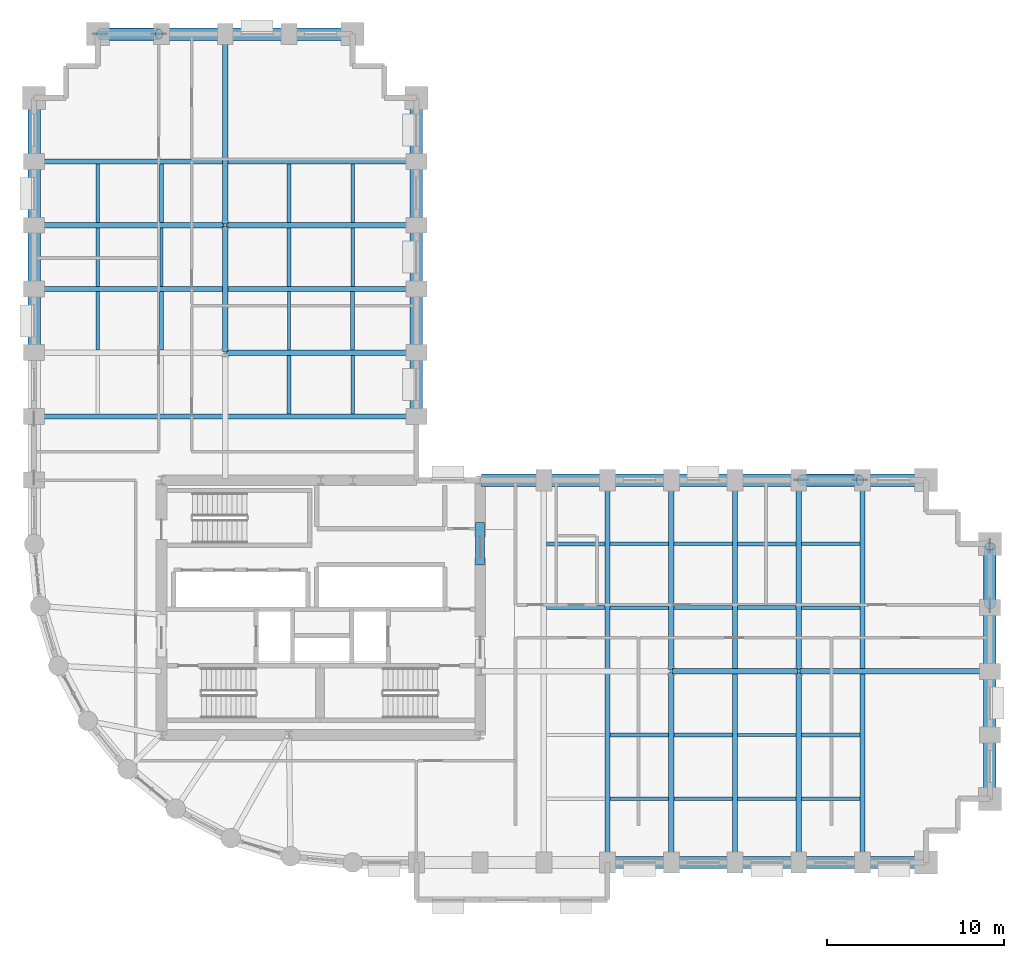
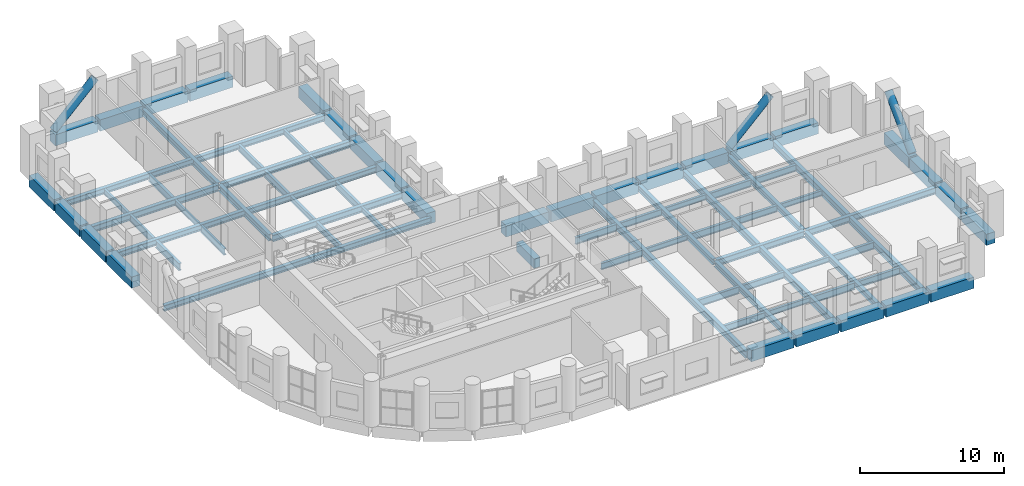
# One storey, part 5 of 14: 79 beams, 3 members.
"""IFC4 building model written with IfcOpenShell, lengths in metres."""

import ifcopenshell
import ifcopenshell.guid

model = None  # the IFC model being written
_history = None  # IfcOwnerHistory: only IFC2X3 demands one
_inside = {}  # id of a spatial element -> (the spatial element, [elements in it])
_under = {}  # id of a project, library or spatial element -> (it, [spatial elements below it])
_declared = {}  # id of a project -> (the project, [libraries it declares])
_typed = {}  # id of a type object -> (the type object, [elements of that type])
_made_of = {}  # id of a material, layer set ... -> (it, [elements and type objects made of it])


def new_model(schema):
    """Start an empty IFC model of exactly this schema.

    Asked for "IFC4X3", IfcOpenShell would pick the latest addendum, in which some entities
    have other attributes; the version numbers below select the first issue.
    IFC2X3 requires an IfcOwnerHistory on every rooted entity: one is made here for all.
    """
    global model, _history
    if schema == "IFC4X3":
        model = ifcopenshell.file(schema_version=(4, 3, 0, 0))
    else:
        model = ifcopenshell.file(schema=schema)
    _inside.clear()
    _under.clear()
    _declared.clear()
    _typed.clear()
    _made_of.clear()
    _history = None
    if model.schema == "IFC2X3":
        org = make("IfcOrganization", Name="unknown")
        user = make(
            "IfcPersonAndOrganization",
            ThePerson=make("IfcPerson", FamilyName="unknown"),
            TheOrganization=org,
        )
        app = make(
            "IfcApplication",
            ApplicationDeveloper=org,
            Version="unknown",
            ApplicationFullName="unknown",
            ApplicationIdentifier="unknown",
        )
        _history = make(
            "IfcOwnerHistory",
            OwningUser=user,
            OwningApplication=app,
            ChangeAction="ADDED",
            CreationDate=0,
        )
    return model


def make(cls, **values):
    """One entity of the class cls with the attributes given. An attribute that is None is left unset."""
    return model.create_entity(
        cls, **{name: value for name, value in values.items() if value is not None}
    )


def rooted(cls, **values):
    """An entity with a GlobalId (a new one), such as an element, a storey or a relation."""
    return make(cls, GlobalId=ifcopenshell.guid.new(), OwnerHistory=_history, **values)


def si_unit(unit_type, name, prefix=None):
    """IfcSIUnit, for example si_unit("LENGTHUNIT", "METRE", prefix="MILLI")."""
    return make("IfcSIUnit", UnitType=unit_type, Prefix=prefix, Name=name)


def assignment(units):
    """IfcUnitAssignment: the units of a project."""
    return None if units is None else make("IfcUnitAssignment", Units=units)


def point(xyz):
    """IfcCartesianPoint."""
    return None if xyz is None else make("IfcCartesianPoint", Coordinates=xyz)


def direction(xyz):
    """IfcDirection."""
    return None if xyz is None else make("IfcDirection", DirectionRatios=xyz)


def frame(location, z_axis=None, x_axis=None):
    """IfcAxis2Placement3D, a coordinate frame: its origin and axes. An axis left out is left unset."""
    return make(
        "IfcAxis2Placement3D",
        Location=point(location),
        Axis=direction(z_axis),
        RefDirection=direction(x_axis),
    )


def frame_2d(location, x_axis=None):
    """IfcAxis2Placement2D, a coordinate frame in the plane: its origin and x axis."""
    return make(
        "IfcAxis2Placement2D", Location=point(location), RefDirection=direction(x_axis)
    )


def origin():
    """The frame at (0, 0, 0) with its axes left unset."""
    return frame((0.0, 0.0, 0.0))


def origin_2d():
    """The frame at (0, 0) in the plane with its x axis left unset."""
    return frame_2d((0.0, 0.0))


def place(relative_to, where):
    """IfcLocalPlacement: puts the frame where relative to a parent placement (None: the world)."""
    return make(
        "IfcLocalPlacement", PlacementRelTo=relative_to, RelativePlacement=where
    )


def context(
    kind, dimensions, precision=None, world=None, true_north=None, identifier=None
):
    """IfcGeometricRepresentationContext, for example the 3D "Model" context."""
    return make(
        "IfcGeometricRepresentationContext",
        ContextIdentifier=identifier,
        ContextType=kind,
        CoordinateSpaceDimension=dimensions,
        Precision=precision,
        WorldCoordinateSystem=world,
        TrueNorth=true_north,
    )


def subcontext(parent, identifier, kind, view, scale=None):
    """IfcGeometricRepresentationSubContext, for example "Body" below "Model"."""
    return make(
        "IfcGeometricRepresentationSubContext",
        ContextIdentifier=identifier,
        ContextType=kind,
        ParentContext=parent,
        TargetScale=scale,
        TargetView=view,
    )


def project(units=None, contexts=None):
    """IfcProject with its units and contexts."""
    return rooted(
        "IfcProject",
        Name="project",
        RepresentationContexts=contexts,
        UnitsInContext=assignment(units),
    )


def spatial(cls, under=None, at=None, **own):
    """A site, building, storey or space (cls), placed at a placement, below another one or the project."""
    s = rooted(cls, ObjectPlacement=at, **own)
    if under is not None:
        _under.setdefault(under.id(), (under, []))[1].append(s)
    return s


def profile(cls, at=None, kind="AREA", **sizes):
    """A parametric profile (cls). Its sizes go by their IFC names, for example OverallWidth=200.0."""
    return make(cls, ProfileType=kind, Position=at, **sizes)


def rectangle(**sizes):
    """IfcRectangleProfileDef."""
    return profile("IfcRectangleProfileDef", **sizes)


def hollow_circle(**sizes):
    """IfcCircleHollowProfileDef."""
    return profile("IfcCircleHollowProfileDef", **sizes)


def i_section(**sizes):
    """IfcIShapeProfileDef."""
    return profile("IfcIShapeProfileDef", **sizes)


def extrude(swept, where, along, depth):
    """IfcExtrudedAreaSolid: the profile swept, set in the frame where, extruded along a direction by depth."""
    return make(
        "IfcExtrudedAreaSolid",
        SweptArea=swept,
        Position=where,
        ExtrudedDirection=direction(along),
        Depth=depth,
    )


def shape(context_of_items, identifier, shape_type, items):
    """IfcShapeRepresentation: the items that make up one representation, for example the "Body"."""
    return make(
        "IfcShapeRepresentation",
        ContextOfItems=context_of_items,
        RepresentationIdentifier=identifier,
        RepresentationType=shape_type,
        Items=items,
    )


def material(Name=None, Category=None):
    """IfcMaterial."""
    return make("IfcMaterial", Name=Name, Category=Category)


def material_profile(
    of_material, cross_section, Name=None, Category=None, Priority=None
):
    """IfcMaterialProfile: a cross section and its material."""
    return make(
        "IfcMaterialProfile",
        Name=Name,
        Material=of_material,
        Profile=cross_section,
        Priority=Priority,
        Category=Category,
    )


def profile_set(profiles, Name=None, composite=None):
    """IfcMaterialProfileSet."""
    return make(
        "IfcMaterialProfileSet",
        Name=Name,
        MaterialProfiles=profiles,
        CompositeProfile=composite,
    )


def made_of(thing, what):
    """Note that an element or type object is made of a material, layer set ...; save() writes the relation."""
    if what is not None:
        _made_of.setdefault(what.id(), (what, []))[1].append(thing)
    return thing


def type_object(cls, material=None, **own):
    """A type object (cls), such as IfcWallType, which elements share."""
    return made_of(rooted(cls, **own), material)


def element(
    cls,
    number,
    at=None,
    inside=None,
    cuts=None,
    type_object=None,
    material=None,
    context=None,
    identifier="Body",
    shape_type=None,
    held_by="IfcProductDefinitionShape",
    body=None,
    shapes=None,
    **own,
):
    """One element of the class cls, such as IfcWall. Its Tag is "e" and its number.

    at: its placement. inside: the storey or other place that contains it. cuts: it is an
    opening in that element (IfcRelVoidsElement). A single representation is given by context,
    identifier, shape_type and body (its items); several are given by shapes. held_by: the class
    of the entity that holds the representations. save() writes the other relations.
    """
    e = rooted(cls, Tag="e%d" % number, ObjectPlacement=at, **own)
    if body is not None:
        shapes = [shape(context, identifier, shape_type, body)]
    if shapes is not None:
        e.Representation = make(held_by, Representations=shapes)
    if inside is not None:
        _inside.setdefault(inside.id(), (inside, []))[1].append(e)
    if cuts is not None:
        rooted(
            "IfcRelVoidsElement", RelatingBuildingElement=cuts, RelatedOpeningElement=e
        )
    if type_object is not None:
        _typed.setdefault(type_object.id(), (type_object, []))[1].append(e)
    return made_of(e, material)


def aggregate(whole, parts):
    """IfcRelAggregates: a whole, such as a stair, and the parts it consists of."""
    return rooted("IfcRelAggregates", RelatingObject=whole, RelatedObjects=parts)


def save(model, path):
    """Write the relations noted so far, then the file.

    IfcRelAggregates (storeys below a building ...), IfcRelContainedInSpatialStructure (elements
    in a storey), IfcRelDefinesByType, IfcRelAssociatesMaterial and IfcRelDeclares: one each for
    every whole, place, type object, material and project.
    """
    for whole, parts in _under.values():
        aggregate(whole, parts)
    for where, things in _inside.values():
        rooted(
            "IfcRelContainedInSpatialStructure",
            RelatedElements=things,
            RelatingStructure=where,
        )
    for kind, things in _typed.values():
        rooted("IfcRelDefinesByType", RelatedObjects=things, RelatingType=kind)
    for what, things in _made_of.values():
        rooted("IfcRelAssociatesMaterial", RelatedObjects=things, RelatingMaterial=what)
    for by, libraries in _declared.values():
        rooted("IfcRelDeclares", RelatingContext=by, RelatedDefinitions=libraries)
    model.write(path)


model = new_model("IFC4")

# Units and contexts
model_context = context("Model", 3, precision=1e-05, world=origin(), true_north=direction((0.0, 1.0)))
body_context = subcontext(model_context, "Body", "Model", "MODEL_VIEW")
ifc_project = project(units=[si_unit("LENGTHUNIT", "METRE"), si_unit("AREAUNIT", "SQUARE_METRE"), si_unit("VOLUMEUNIT", "CUBIC_METRE"), si_unit("PLANEANGLEUNIT", "RADIAN"), si_unit("MASSUNIT", "GRAM", prefix="KILO")], contexts=[model_context])

# Site, building, storey
site_placement = place(None, origin())
site = spatial("IfcSite", under=ifc_project, at=site_placement, CompositionType="ELEMENT")
building_placement = place(site_placement, origin())
building = spatial("IfcBuilding", under=site, at=building_placement, Name="Solnavia Interchange Tower", CompositionType="ELEMENT")
storey_placement = place(building_placement, frame((0.0, 0.0, 63.0)))
storey = spatial("IfcBuildingStorey", under=building, at=storey_placement, Name="L15", CompositionType="ELEMENT", Elevation=63.0)

# Beams
ifc_material_1 = material(Name="Concrete C50/60", Category="concrete")
ifc_material_profile_1 = material_profile(ifc_material_1, rectangle(XDim=0.5, YDim=0.800048828125, at=origin_2d()), Name="RC 500x800")
ifc_profile_set_1 = profile_set([ifc_material_profile_1], Name="Concrete C50/60")
beam_type_1 = type_object("IfcBeamType", Name="Beam-Coupling-RC500x800", PredefinedType="LINTEL", material=ifc_profile_set_1)
beam_1_placement = place(storey_placement, frame((32.39990234375, 20.39990234375, -0.39990234375), z_axis=(0.0, 1.0, 0.0), x_axis=(-1.0, 0.0, 0.0)))
element("IfcBeam", 1, at=beam_1_placement, inside=storey, type_object=beam_type_1, Name="CPB-L15-E2 Core coupling lintel beam", PredefinedType="LINTEL", context=body_context, shape_type="SweptSolid", body=[
    extrude(rectangle(XDim=0.5, YDim=0.800048828125, at=origin_2d()), origin(), (0.0, 0.0, 1.0), 2.400146484375),
])
ifc_material_2 = material(Name="Steel S460", Category="steel")
ifc_material_profile_2 = material_profile(ifc_material_2, i_section(OverallWidth=0.300048828125, OverallDepth=0.550048828125, WebThickness=0.014892578125, FlangeThickness=0.029052734375, FilletRadius=0.027099609375, at=origin_2d()), Name="HEB 550")
ifc_profile_set_2 = profile_set([ifc_material_profile_2], Name="Steel S460")
beam_type_2 = type_object("IfcBeamType", Name="Beam-Girder-HEB550", PredefinedType="BEAM", material=ifc_profile_set_2)
beam_2_placement = place(storey_placement, frame((43.280029296875, 14.39990234375, -0.52490234375), z_axis=(1.0, 0.0, 0.0), x_axis=(0.0, 1.0, 0.0)))
element("IfcBeam", 2, at=beam_2_placement, inside=storey, type_object=beam_type_2, Name="GRD-L15-ES02 East wing spine girder", PredefinedType="BEAM", context=body_context, shape_type="SweptSolid", body=[
    extrude(i_section(OverallWidth=0.300048828125, OverallDepth=0.550048828125, WebThickness=0.014892578125, FlangeThickness=0.029052734375, FilletRadius=0.027099609375, at=origin_2d()), origin(), (0.0, 0.0, 1.0), 7.0400390625),
])
beam_3_placement = place(storey_placement, frame((50.47998046875, 14.39990234375, -0.52490234375), z_axis=(1.0, 0.0, 0.0), x_axis=(0.0, 1.0, 0.0)))
element("IfcBeam", 3, at=beam_3_placement, inside=storey, type_object=beam_type_2, Name="GRD-L15-ES03 East wing spine girder", PredefinedType="BEAM", context=body_context, shape_type="SweptSolid", body=[
    extrude(i_section(OverallWidth=0.300048828125, OverallDepth=0.550048828125, WebThickness=0.014892578125, FlangeThickness=0.029052734375, FilletRadius=0.027099609375, at=origin_2d()), origin(), (0.0, 0.0, 1.0), 10.64013671875),
])
beam_4_placement = place(storey_placement, frame((18.0, 32.47998046875, -0.52490234375), z_axis=(0.0, 1.0, 0.0), x_axis=(-1.0, 0.0, 0.0)))
element("IfcBeam", 4, at=beam_4_placement, inside=storey, type_object=beam_type_2, Name="GRD-L15-NS13 North wing spine girder", PredefinedType="BEAM", context=body_context, shape_type="SweptSolid", body=[
    extrude(i_section(OverallWidth=0.300048828125, OverallDepth=0.550048828125, WebThickness=0.014892578125, FlangeThickness=0.029052734375, FilletRadius=0.027099609375, at=origin_2d()), origin(), (0.0, 0.0, 1.0), 7.0400390625),
])
beam_5_placement = place(storey_placement, frame((18.0, 39.679931640625, -0.52490234375), z_axis=(0.0, 1.0, 0.0), x_axis=(-1.0, 0.0, 0.0)))
element("IfcBeam", 5, at=beam_5_placement, inside=storey, type_object=beam_type_2, Name="GRD-L15-NS14 North wing spine girder", PredefinedType="BEAM", context=body_context, shape_type="SweptSolid", body=[
    extrude(i_section(OverallWidth=0.300048828125, OverallDepth=0.550048828125, WebThickness=0.014892578125, FlangeThickness=0.029052734375, FilletRadius=0.027099609375, at=origin_2d()), origin(), (0.0, 0.0, 1.0), 10.64013671875),
])
for number, where, z_axis, x_axis, name in (
    (6, (18.080078125, 32.39990234375, -0.52490234375), (1.0, 0.0, 0.0), (0.0, 1.0, 0.0), "GRD-L15-NW17 North wing primary floor girder"),
    (7, (7.280029296875, 39.60009765625, -0.52490234375), (1.0, 0.0, 0.0), (0.0, 1.0, 0.0), "GRD-L15-NW19 North wing primary floor girder"),
    (8, (18.080078125, 39.60009765625, -0.52490234375), (1.0, 0.0, 0.0), (0.0, 1.0, 0.0), "GRD-L15-NW20 North wing primary floor girder"),
):
    element("IfcBeam", number, at=place(storey_placement, frame(where, z_axis=z_axis, x_axis=x_axis)), inside=storey, type_object=beam_type_2, Name=name, PredefinedType="BEAM", context=body_context, shape_type="SweptSolid", body=[
        extrude(i_section(OverallWidth=0.300048828125, OverallDepth=0.550048828125, WebThickness=0.014892578125, FlangeThickness=0.029052734375, FilletRadius=0.027099609375, at=origin_2d()), origin(), (0.0, 0.0, 1.0), 10.639892578125),
    ])
ifc_material_3 = material(Name="Steel S355", Category="steel")
ifc_material_profile_3 = material_profile(ifc_material_3, i_section(OverallWidth=0.18994140625, OverallDepth=0.449951171875, WebThickness=0.009521484375, FlangeThickness=0.0146484375, FilletRadius=0.02099609375, at=origin_2d()), Name="IPE 450")
ifc_profile_set_3 = profile_set([ifc_material_profile_3], Name="Steel S355")
beam_type_3 = type_object("IfcBeamType", Name="Beam-Joist-IPE450", PredefinedType="JOIST", material=ifc_profile_set_3)
beam_6_placement = place(storey_placement, frame((43.35009765625, 7.199951171875, -0.47509765625), z_axis=(1.0, 0.0, 0.0), x_axis=(0.0, 1.0, 0.0)))
element("IfcBeam", 9, at=beam_6_placement, inside=storey, type_object=beam_type_3, Name="JST-L15-E03 East wing secondary joist", PredefinedType="JOIST", context=body_context, shape_type="SweptSolid", body=[
    extrude(i_section(OverallWidth=0.18994140625, OverallDepth=0.449951171875, WebThickness=0.009521484375, FlangeThickness=0.0146484375, FilletRadius=0.02099609375, at=origin_2d()), origin(), (0.0, 0.0, 1.0), 3.2998046875),
])
for number, where, z_axis, x_axis, name in (
    (10, (46.949951171875, 10.800048828125, -0.47509765625), (1.0, 0.0, 0.0), (0.0, 1.0, 0.0), "JST-L15-E09 East wing secondary joist"),
    (11, (39.75, 18.0, -0.47509765625), (1.0, 0.0, 0.0), (0.0, 1.0, 0.0), "JST-L15-E12 East wing secondary joist"),
    (12, (50.550048828125, 18.0, -0.47509765625), (1.0, 0.0, 0.0), (0.0, 1.0, 0.0), "JST-L15-E15 East wing secondary joist"),
):
    element("IfcBeam", number, at=place(storey_placement, frame(where, z_axis=z_axis, x_axis=x_axis)), inside=storey, type_object=beam_type_3, Name=name, PredefinedType="JOIST", context=body_context, shape_type="SweptSolid", body=[
        extrude(i_section(OverallWidth=0.18994140625, OverallDepth=0.449951171875, WebThickness=0.009521484375, FlangeThickness=0.0146484375, FilletRadius=0.02099609375, at=origin_2d()), origin(), (0.0, 0.0, 1.0), 3.300048828125),
    ])
beam_7_placement = place(storey_placement, frame((43.35009765625, 21.60009765625, -0.47509765625), z_axis=(1.0, 0.0, 0.0), x_axis=(0.0, 1.0, 0.0)))
element("IfcBeam", 13, at=beam_7_placement, inside=storey, type_object=beam_type_3, Name="JST-L15-E18 East wing secondary joist", PredefinedType="JOIST", context=body_context, shape_type="SweptSolid", body=[
    extrude(i_section(OverallWidth=0.18994140625, OverallDepth=0.449951171875, WebThickness=0.009521484375, FlangeThickness=0.0146484375, FilletRadius=0.02099609375, at=origin_2d()), origin(), (0.0, 0.0, 1.0), 3.2998046875),
])
for number, where, z_axis, x_axis, name in (
    (14, (10.800048828125, 39.75, -0.47509765625), (0.0, 1.0, 0.0), (-1.0, 0.0, 0.0), "JST-L15-N24 North wing secondary joist"),
    (15, (14.39990234375, 36.14990234375, -0.47509765625), (0.0, 1.0, 0.0), (-1.0, 0.0, 0.0), "JST-L15-N27 North wing secondary joist"),
    (16, (21.60009765625, 32.550048828125, -0.47509765625), (0.0, 1.0, 0.0), (-1.0, 0.0, 0.0), "JST-L15-N30 North wing secondary joist"),
    (17, (25.199951171875, 28.949951171875, -0.47509765625), (0.0, 1.0, 0.0), (-1.0, 0.0, 0.0), "JST-L15-N33 North wing secondary joist"),
    (18, (25.199951171875, 39.75, -0.47509765625), (0.0, 1.0, 0.0), (-1.0, 0.0, 0.0), "JST-L15-N36 North wing secondary joist"),
):
    element("IfcBeam", number, at=place(storey_placement, frame(where, z_axis=z_axis, x_axis=x_axis)), inside=storey, type_object=beam_type_3, Name=name, PredefinedType="JOIST", context=body_context, shape_type="SweptSolid", body=[
        extrude(i_section(OverallWidth=0.18994140625, OverallDepth=0.449951171875, WebThickness=0.009521484375, FlangeThickness=0.0146484375, FilletRadius=0.02099609375, at=origin_2d()), origin(), (0.0, 0.0, 1.0), 3.300048828125),
    ])
ifc_material_profile_4 = material_profile(ifc_material_3, i_section(OverallWidth=0.2099609375, OverallDepth=0.550048828125, WebThickness=0.010986328125, FlangeThickness=0.01708984375, FilletRadius=0.02392578125, at=origin_2d()), Name="IPE 550")
ifc_profile_set_4 = profile_set([ifc_material_profile_4], Name="Steel S355")
beam_type_4 = type_object("IfcBeamType", Name="Beam-Joist-IPE550", PredefinedType="JOIST", material=ifc_profile_set_4)
for number, where, z_axis, x_axis, name in (
    (19, (39.75, 7.199951171875, -0.52490234375), (1.0, 0.0, 0.0), (0.0, 1.0, 0.0), "JST-L15-E02 East wing secondary joist"),
    (20, (50.550048828125, 7.199951171875, -0.52490234375), (1.0, 0.0, 0.0), (0.0, 1.0, 0.0), "JST-L15-E05 East wing secondary joist"),
):
    element("IfcBeam", number, at=place(storey_placement, frame(where, z_axis=z_axis, x_axis=x_axis)), inside=storey, type_object=beam_type_4, Name=name, PredefinedType="JOIST", context=body_context, shape_type="SweptSolid", body=[
        extrude(i_section(OverallWidth=0.2099609375, OverallDepth=0.550048828125, WebThickness=0.010986328125, FlangeThickness=0.01708984375, FilletRadius=0.02392578125, at=origin_2d()), origin(), (0.0, 0.0, 1.0), 3.300048828125),
    ])
beam_8_placement = place(storey_placement, frame((43.35009765625, 10.800048828125, -0.52490234375), z_axis=(1.0, 0.0, 0.0), x_axis=(0.0, 1.0, 0.0)))
element("IfcBeam", 21, at=beam_8_placement, inside=storey, type_object=beam_type_4, Name="JST-L15-E08 East wing secondary joist", PredefinedType="JOIST", context=body_context, shape_type="SweptSolid", body=[
    extrude(i_section(OverallWidth=0.2099609375, OverallDepth=0.550048828125, WebThickness=0.010986328125, FlangeThickness=0.01708984375, FilletRadius=0.02392578125, at=origin_2d()), origin(), (0.0, 0.0, 1.0), 3.2998046875),
])
for number, where, z_axis, x_axis, name in (
    (22, (36.14990234375, 18.0, -0.52490234375), (1.0, 0.0, 0.0), (0.0, 1.0, 0.0), "JST-L15-E11 East wing secondary joist"),
    (23, (46.949951171875, 18.0, -0.52490234375), (1.0, 0.0, 0.0), (0.0, 1.0, 0.0), "JST-L15-E14 East wing secondary joist"),
    (24, (39.75, 21.60009765625, -0.52490234375), (1.0, 0.0, 0.0), (0.0, 1.0, 0.0), "JST-L15-E17 East wing secondary joist"),
    (25, (50.550048828125, 21.60009765625, -0.52490234375), (1.0, 0.0, 0.0), (0.0, 1.0, 0.0), "JST-L15-E20 East wing secondary joist"),
    (26, (10.800048828125, 36.14990234375, -0.52490234375), (0.0, 1.0, 0.0), (-1.0, 0.0, 0.0), "JST-L15-N23 North wing secondary joist"),
    (27, (14.39990234375, 32.550048828125, -0.52490234375), (0.0, 1.0, 0.0), (-1.0, 0.0, 0.0), "JST-L15-N26 North wing secondary joist"),
    (28, (21.60009765625, 28.949951171875, -0.52490234375), (0.0, 1.0, 0.0), (-1.0, 0.0, 0.0), "JST-L15-N29 North wing secondary joist"),
    (29, (21.60009765625, 39.75, -0.52490234375), (0.0, 1.0, 0.0), (-1.0, 0.0, 0.0), "JST-L15-N32 North wing secondary joist"),
    (30, (25.199951171875, 36.14990234375, -0.52490234375), (0.0, 1.0, 0.0), (-1.0, 0.0, 0.0), "JST-L15-N35 North wing secondary joist"),
):
    element("IfcBeam", number, at=place(storey_placement, frame(where, z_axis=z_axis, x_axis=x_axis)), inside=storey, type_object=beam_type_4, Name=name, PredefinedType="JOIST", context=body_context, shape_type="SweptSolid", body=[
        extrude(i_section(OverallWidth=0.2099609375, OverallDepth=0.550048828125, WebThickness=0.010986328125, FlangeThickness=0.01708984375, FilletRadius=0.02392578125, at=origin_2d()), origin(), (0.0, 0.0, 1.0), 3.300048828125),
    ])
ifc_material_profile_5 = material_profile(ifc_material_3, i_section(OverallWidth=0.219970703125, OverallDepth=0.60009765625, WebThickness=0.011962890625, FlangeThickness=0.01904296875, FilletRadius=0.02392578125, at=origin_2d()), Name="IPE 600")
ifc_profile_set_5 = profile_set([ifc_material_profile_5], Name="Steel S355")
beam_type_5 = type_object("IfcBeamType", Name="Beam-Joist-IPE600", PredefinedType="JOIST", material=ifc_profile_set_5)
for number, where, z_axis, x_axis, name in (
    (31, (46.949951171875, 7.199951171875, -0.550048828125), (1.0, 0.0, 0.0), (0.0, 1.0, 0.0), "JST-L15-E04 East wing secondary joist"),
    (32, (39.75, 10.800048828125, -0.550048828125), (1.0, 0.0, 0.0), (0.0, 1.0, 0.0), "JST-L15-E07 East wing secondary joist"),
    (33, (50.550048828125, 10.800048828125, -0.550048828125), (1.0, 0.0, 0.0), (0.0, 1.0, 0.0), "JST-L15-E10 East wing secondary joist"),
):
    element("IfcBeam", number, at=place(storey_placement, frame(where, z_axis=z_axis, x_axis=x_axis)), inside=storey, type_object=beam_type_5, Name=name, PredefinedType="JOIST", context=body_context, shape_type="SweptSolid", body=[
        extrude(i_section(OverallWidth=0.219970703125, OverallDepth=0.60009765625, WebThickness=0.011962890625, FlangeThickness=0.01904296875, FilletRadius=0.02392578125, at=origin_2d()), origin(), (0.0, 0.0, 1.0), 3.300048828125),
    ])
beam_9_placement = place(storey_placement, frame((43.35009765625, 18.0, -0.550048828125), z_axis=(1.0, 0.0, 0.0), x_axis=(0.0, 1.0, 0.0)))
element("IfcBeam", 34, at=beam_9_placement, inside=storey, type_object=beam_type_5, Name="JST-L15-E13 East wing secondary joist", PredefinedType="JOIST", context=body_context, shape_type="SweptSolid", body=[
    extrude(i_section(OverallWidth=0.219970703125, OverallDepth=0.60009765625, WebThickness=0.011962890625, FlangeThickness=0.01904296875, FilletRadius=0.02392578125, at=origin_2d()), origin(), (0.0, 0.0, 1.0), 3.2998046875),
])
for number, where, z_axis, x_axis, name in (
    (35, (36.14990234375, 21.60009765625, -0.550048828125), (1.0, 0.0, 0.0), (0.0, 1.0, 0.0), "JST-L15-E16 East wing secondary joist"),
    (36, (46.949951171875, 21.60009765625, -0.550048828125), (1.0, 0.0, 0.0), (0.0, 1.0, 0.0), "JST-L15-E19 East wing secondary joist"),
    (37, (10.800048828125, 32.550048828125, -0.550048828125), (0.0, 1.0, 0.0), (-1.0, 0.0, 0.0), "JST-L15-N22 North wing secondary joist"),
    (38, (14.39990234375, 39.75, -0.550048828125), (0.0, 1.0, 0.0), (-1.0, 0.0, 0.0), "JST-L15-N28 North wing secondary joist"),
    (39, (21.60009765625, 36.14990234375, -0.550048828125), (0.0, 1.0, 0.0), (-1.0, 0.0, 0.0), "JST-L15-N31 North wing secondary joist"),
    (40, (25.199951171875, 32.550048828125, -0.550048828125), (0.0, 1.0, 0.0), (-1.0, 0.0, 0.0), "JST-L15-N34 North wing secondary joist"),
):
    element("IfcBeam", number, at=place(storey_placement, frame(where, z_axis=z_axis, x_axis=x_axis)), inside=storey, type_object=beam_type_5, Name=name, PredefinedType="JOIST", context=body_context, shape_type="SweptSolid", body=[
        extrude(i_section(OverallWidth=0.219970703125, OverallDepth=0.60009765625, WebThickness=0.011962890625, FlangeThickness=0.01904296875, FilletRadius=0.02392578125, at=origin_2d()), origin(), (0.0, 0.0, 1.0), 3.300048828125),
    ])
ifc_material_profile_6 = material_profile(ifc_material_3, i_section(OverallWidth=0.300048828125, OverallDepth=0.489990234375, WebThickness=0.011962890625, FlangeThickness=0.02294921875, FilletRadius=0.027099609375, at=origin_2d()), Name="HEA 500")
ifc_profile_set_6 = profile_set([ifc_material_profile_6], Name="Steel S355")
beam_type_6 = type_object("IfcBeamType", Name="Beam-Primary-HEA500", PredefinedType="BEAM", material=ifc_profile_set_6)
for number, where, z_axis, x_axis, name in (
    (41, (43.199951171875, 3.679931640625, -0.4951171875), (0.0, 1.0, 0.0), (-1.0, 0.0, 0.0), "GRD-L15-EW06 East wing primary floor girder"),
    (42, (43.199951171875, 14.47998046875, -0.4951171875), (0.0, 1.0, 0.0), (-1.0, 0.0, 0.0), "GRD-L15-EW07 East wing primary floor girder"),
    (43, (50.39990234375, 3.679931640625, -0.4951171875), (0.0, 1.0, 0.0), (-1.0, 0.0, 0.0), "GRD-L15-EW09 East wing primary floor girder"),
    (44, (50.39990234375, 14.47998046875, -0.4951171875), (0.0, 1.0, 0.0), (-1.0, 0.0, 0.0), "GRD-L15-EW10 East wing primary floor girder"),
):
    element("IfcBeam", number, at=place(storey_placement, frame(where, z_axis=z_axis, x_axis=x_axis)), inside=storey, type_object=beam_type_6, Name=name, PredefinedType="BEAM", context=body_context, shape_type="SweptSolid", body=[
        extrude(i_section(OverallWidth=0.300048828125, OverallDepth=0.489990234375, WebThickness=0.011962890625, FlangeThickness=0.02294921875, FilletRadius=0.027099609375, at=origin_2d()), origin(), (0.0, 0.0, 1.0), 10.64013671875),
    ])
for number, where, z_axis, x_axis, name in (
    (45, (7.280029296875, 28.800048828125, -0.4951171875), (1.0, 0.0, 0.0), (0.0, 1.0, 0.0), "GRD-L15-NW15 North wing primary floor girder"),
    (46, (7.280029296875, 36.0, -0.4951171875), (1.0, 0.0, 0.0), (0.0, 1.0, 0.0), "GRD-L15-NW18 North wing primary floor girder"),
    (47, (7.280029296875, 43.199951171875, -0.4951171875), (1.0, 0.0, 0.0), (0.0, 1.0, 0.0), "GRD-L15-NW21 North wing primary floor girder"),
):
    element("IfcBeam", number, at=place(storey_placement, frame(where, z_axis=z_axis, x_axis=x_axis)), inside=storey, type_object=beam_type_6, Name=name, PredefinedType="BEAM", context=body_context, shape_type="SweptSolid", body=[
        extrude(i_section(OverallWidth=0.300048828125, OverallDepth=0.489990234375, WebThickness=0.011962890625, FlangeThickness=0.02294921875, FilletRadius=0.027099609375, at=origin_2d()), origin(), (0.0, 0.0, 1.0), 21.43994140625),
    ])
ifc_material_profile_7 = material_profile(ifc_material_3, i_section(OverallWidth=0.300048828125, OverallDepth=0.590087890625, WebThickness=0.012939453125, FlangeThickness=0.02490234375, FilletRadius=0.027099609375, at=origin_2d()), Name="HEA 600")
ifc_profile_set_7 = profile_set([ifc_material_profile_7], Name="Steel S355")
beam_type_7 = type_object("IfcBeamType", Name="Beam-Primary-HEA600", PredefinedType="BEAM", material=ifc_profile_set_7)
for number, where, z_axis, x_axis, name in (
    (48, (39.60009765625, 3.679931640625, -0.544921875), (0.0, 1.0, 0.0), (-1.0, 0.0, 0.0), "GRD-L15-EW05 East wing primary floor girder"),
    (49, (46.800048828125, 3.679931640625, -0.544921875), (0.0, 1.0, 0.0), (-1.0, 0.0, 0.0), "GRD-L15-EW08 East wing primary floor girder"),
    (50, (54.0, 3.679931640625, -0.544921875), (0.0, 1.0, 0.0), (-1.0, 0.0, 0.0), "GRD-L15-EW11 East wing primary floor girder"),
):
    element("IfcBeam", number, at=place(storey_placement, frame(where, z_axis=z_axis, x_axis=x_axis)), inside=storey, type_object=beam_type_7, Name=name, PredefinedType="BEAM", context=body_context, shape_type="SweptSolid", body=[
        extrude(i_section(OverallWidth=0.300048828125, OverallDepth=0.590087890625, WebThickness=0.012939453125, FlangeThickness=0.02490234375, FilletRadius=0.027099609375, at=origin_2d()), origin(), (0.0, 0.0, 1.0), 21.440185546875),
    ])
ifc_material_profile_8 = material_profile(ifc_material_1, rectangle(XDim=0.699951171875, YDim=0.949951171875, at=origin_2d()), Name="RC 700x950")
ifc_profile_set_8 = profile_set([ifc_material_profile_8], Name="Concrete C50/60")
beam_type_8 = type_object("IfcBeamType", Name="Beam-Spandrel-RC700x950", PredefinedType="SPANDREL", material=ifc_profile_set_8)
beam_10_placement = place(storey_placement, frame((39.679931640625, 3.60009765625, -0.47509765625), z_axis=(1.0, 0.0, 0.0), x_axis=(0.0, 1.0, 0.0)))
element("IfcBeam", 51, at=beam_10_placement, inside=storey, type_object=beam_type_8, Name="SPB-L15-13 Framed-tube perimeter spandrel beam", PredefinedType="SPANDREL", context=body_context, shape_type="SweptSolid", body=[
    extrude(rectangle(XDim=0.699951171875, YDim=0.949951171875, at=origin_2d()), origin(), (0.0, 0.0, 1.0), 3.440185546875),
])
beam_11_placement = place(storey_placement, frame((43.280029296875, 3.60009765625, -0.47509765625), z_axis=(1.0, 0.0, 0.0), x_axis=(0.0, 1.0, 0.0)))
element("IfcBeam", 52, at=beam_11_placement, inside=storey, type_object=beam_type_8, Name="SPB-L15-14 Framed-tube perimeter spandrel beam", PredefinedType="SPANDREL", context=body_context, shape_type="SweptSolid", body=[
    extrude(rectangle(XDim=0.699951171875, YDim=0.949951171875, at=origin_2d()), origin(), (0.0, 0.0, 1.0), 3.43994140625),
])
beam_12_placement = place(storey_placement, frame((46.8798828125, 3.60009765625, -0.47509765625), z_axis=(1.0, 0.0, 0.0), x_axis=(0.0, 1.0, 0.0)))
element("IfcBeam", 53, at=beam_12_placement, inside=storey, type_object=beam_type_8, Name="SPB-L15-15 Framed-tube perimeter spandrel beam", PredefinedType="SPANDREL", context=body_context, shape_type="SweptSolid", body=[
    extrude(rectangle(XDim=0.699951171875, YDim=0.949951171875, at=origin_2d()), origin(), (0.0, 0.0, 1.0), 3.440185546875),
])
for number, where, z_axis, x_axis, name in (
    (54, (50.47998046875, 3.60009765625, -0.47509765625), (1.0, 0.0, 0.0), (0.0, 1.0, 0.0), "SPB-L15-16 Framed-tube perimeter spandrel beam"),
    (55, (54.080078125, 3.60009765625, -0.47509765625), (1.0, 0.0, 0.0), (0.0, 1.0, 0.0), "SPB-L15-17 Framed-tube perimeter spandrel beam"),
    (56, (61.199951171875, 7.280029296875, -0.47509765625), (0.0, 1.0, 0.0), (-1.0, 0.0, 0.0), "SPB-L15-18 Framed-tube perimeter spandrel beam"),
):
    element("IfcBeam", number, at=place(storey_placement, frame(where, z_axis=z_axis, x_axis=x_axis)), inside=storey, type_object=beam_type_8, Name=name, PredefinedType="SPANDREL", context=body_context, shape_type="SweptSolid", body=[
        extrude(rectangle(XDim=0.699951171875, YDim=0.949951171875, at=origin_2d()), origin(), (0.0, 0.0, 1.0), 3.43994140625),
    ])
beam_13_placement = place(storey_placement, frame((61.199951171875, 10.8798828125, -0.47509765625), z_axis=(0.0, 1.0, 0.0), x_axis=(-1.0, 0.0, 0.0)))
element("IfcBeam", 57, at=beam_13_placement, inside=storey, type_object=beam_type_8, Name="SPB-L15-19 Framed-tube perimeter spandrel beam", PredefinedType="SPANDREL", context=body_context, shape_type="SweptSolid", body=[
    extrude(rectangle(XDim=0.699951171875, YDim=0.949951171875, at=origin_2d()), origin(), (0.0, 0.0, 1.0), 3.440185546875),
])
for number, where, z_axis, x_axis, name in (
    (58, (61.199951171875, 14.47998046875, -0.47509765625), (0.0, 1.0, 0.0), (-1.0, 0.0, 0.0), "SPB-L15-20 Framed-tube perimeter spandrel beam"),
    (59, (61.199951171875, 18.080078125, -0.47509765625), (0.0, 1.0, 0.0), (-1.0, 0.0, 0.0), "SPB-L15-21 Framed-tube perimeter spandrel beam"),
    (60, (57.52001953125, 25.199951171875, -0.47509765625), (-1.0, 0.0, 0.0), (0.0, -1.0, 0.0), "SPB-L15-22 Framed-tube perimeter spandrel beam"),
    (61, (53.919921875, 25.199951171875, -0.47509765625), (-1.0, 0.0, 0.0), (0.0, -1.0, 0.0), "SPB-L15-23 Framed-tube perimeter spandrel beam"),
):
    element("IfcBeam", number, at=place(storey_placement, frame(where, z_axis=z_axis, x_axis=x_axis)), inside=storey, type_object=beam_type_8, Name=name, PredefinedType="SPANDREL", context=body_context, shape_type="SweptSolid", body=[
        extrude(rectangle(XDim=0.699951171875, YDim=0.949951171875, at=origin_2d()), origin(), (0.0, 0.0, 1.0), 3.43994140625),
    ])
beam_14_placement = place(storey_placement, frame((50.320068359375, 25.199951171875, -0.47509765625), z_axis=(-1.0, 0.0, 0.0), x_axis=(0.0, -1.0, 0.0)))
element("IfcBeam", 62, at=beam_14_placement, inside=storey, type_object=beam_type_8, Name="SPB-L15-24 Framed-tube perimeter spandrel beam", PredefinedType="SPANDREL", context=body_context, shape_type="SweptSolid", body=[
    extrude(rectangle(XDim=0.699951171875, YDim=0.949951171875, at=origin_2d()), origin(), (0.0, 0.0, 1.0), 3.440185546875),
])
beam_15_placement = place(storey_placement, frame((46.719970703125, 25.199951171875, -0.47509765625), z_axis=(-1.0, 0.0, 0.0), x_axis=(0.0, -1.0, 0.0)))
element("IfcBeam", 63, at=beam_15_placement, inside=storey, type_object=beam_type_8, Name="SPB-L15-25 Framed-tube perimeter spandrel beam", PredefinedType="SPANDREL", context=body_context, shape_type="SweptSolid", body=[
    extrude(rectangle(XDim=0.699951171875, YDim=0.949951171875, at=origin_2d()), origin(), (0.0, 0.0, 1.0), 3.43994140625),
])
beam_16_placement = place(storey_placement, frame((43.1201171875, 25.199951171875, -0.47509765625), z_axis=(-1.0, 0.0, 0.0), x_axis=(0.0, -1.0, 0.0)))
element("IfcBeam", 64, at=beam_16_placement, inside=storey, type_object=beam_type_8, Name="SPB-L15-26 Framed-tube perimeter spandrel beam", PredefinedType="SPANDREL", context=body_context, shape_type="SweptSolid", body=[
    extrude(rectangle(XDim=0.699951171875, YDim=0.949951171875, at=origin_2d()), origin(), (0.0, 0.0, 1.0), 3.440185546875),
])
for number, where, z_axis, x_axis, name in (
    (65, (39.52001953125, 25.199951171875, -0.47509765625), (-1.0, 0.0, 0.0), (0.0, -1.0, 0.0), "SPB-L15-27 Framed-tube perimeter spandrel beam"),
    (66, (35.919921875, 25.199951171875, -0.47509765625), (-1.0, 0.0, 0.0), (0.0, -1.0, 0.0), "SPB-L15-28 Framed-tube perimeter spandrel beam"),
):
    element("IfcBeam", number, at=place(storey_placement, frame(where, z_axis=z_axis, x_axis=x_axis)), inside=storey, type_object=beam_type_8, Name=name, PredefinedType="SPANDREL", context=body_context, shape_type="SweptSolid", body=[
        extrude(rectangle(XDim=0.699951171875, YDim=0.949951171875, at=origin_2d()), origin(), (0.0, 0.0, 1.0), 3.43994140625),
    ])
beam_17_placement = place(storey_placement, frame((28.800048828125, 28.8798828125, -0.47509765625), z_axis=(0.0, 1.0, 0.0), x_axis=(-1.0, 0.0, 0.0)))
element("IfcBeam", 67, at=beam_17_placement, inside=storey, type_object=beam_type_8, Name="SPB-L15-29 Framed-tube perimeter spandrel beam", PredefinedType="SPANDREL", context=body_context, shape_type="SweptSolid", body=[
    extrude(rectangle(XDim=0.699951171875, YDim=0.949951171875, at=origin_2d()), origin(), (0.0, 0.0, 1.0), 3.440185546875),
])
for number, where, z_axis, x_axis, name in (
    (68, (28.800048828125, 32.47998046875, -0.47509765625), (0.0, 1.0, 0.0), (-1.0, 0.0, 0.0), "SPB-L15-30 Framed-tube perimeter spandrel beam"),
    (69, (28.800048828125, 36.080078125, -0.47509765625), (0.0, 1.0, 0.0), (-1.0, 0.0, 0.0), "SPB-L15-31 Framed-tube perimeter spandrel beam"),
):
    element("IfcBeam", number, at=place(storey_placement, frame(where, z_axis=z_axis, x_axis=x_axis)), inside=storey, type_object=beam_type_8, Name=name, PredefinedType="SPANDREL", context=body_context, shape_type="SweptSolid", body=[
        extrude(rectangle(XDim=0.699951171875, YDim=0.949951171875, at=origin_2d()), origin(), (0.0, 0.0, 1.0), 3.43994140625),
    ])
beam_18_placement = place(storey_placement, frame((28.800048828125, 39.679931640625, -0.47509765625), z_axis=(0.0, 1.0, 0.0), x_axis=(-1.0, 0.0, 0.0)))
element("IfcBeam", 70, at=beam_18_placement, inside=storey, type_object=beam_type_8, Name="SPB-L15-32 Framed-tube perimeter spandrel beam", PredefinedType="SPANDREL", context=body_context, shape_type="SweptSolid", body=[
    extrude(rectangle(XDim=0.699951171875, YDim=0.949951171875, at=origin_2d()), origin(), (0.0, 0.0, 1.0), 3.440185546875),
])
beam_19_placement = place(storey_placement, frame((28.800048828125, 43.280029296875, -0.47509765625), z_axis=(0.0, 1.0, 0.0), x_axis=(-1.0, 0.0, 0.0)))
element("IfcBeam", 71, at=beam_19_placement, inside=storey, type_object=beam_type_8, Name="SPB-L15-33 Framed-tube perimeter spandrel beam", PredefinedType="SPANDREL", context=body_context, shape_type="SweptSolid", body=[
    extrude(rectangle(XDim=0.699951171875, YDim=0.949951171875, at=origin_2d()), origin(), (0.0, 0.0, 1.0), 3.43994140625),
])
beam_20_placement = place(storey_placement, frame((25.1201171875, 50.39990234375, -0.47509765625), z_axis=(-1.0, 0.0, 0.0), x_axis=(0.0, -1.0, 0.0)))
element("IfcBeam", 72, at=beam_20_placement, inside=storey, type_object=beam_type_8, Name="SPB-L15-34 Framed-tube perimeter spandrel beam", PredefinedType="SPANDREL", context=body_context, shape_type="SweptSolid", body=[
    extrude(rectangle(XDim=0.699951171875, YDim=0.949951171875, at=origin_2d()), origin(), (0.0, 0.0, 1.0), 3.440185546875),
])
for number, where, z_axis, x_axis, name in (
    (73, (21.52001953125, 50.39990234375, -0.47509765625), (-1.0, 0.0, 0.0), (0.0, -1.0, 0.0), "SPB-L15-35 Framed-tube perimeter spandrel beam"),
    (74, (17.919921875, 50.39990234375, -0.47509765625), (-1.0, 0.0, 0.0), (0.0, -1.0, 0.0), "SPB-L15-36 Framed-tube perimeter spandrel beam"),
):
    element("IfcBeam", number, at=place(storey_placement, frame(where, z_axis=z_axis, x_axis=x_axis)), inside=storey, type_object=beam_type_8, Name=name, PredefinedType="SPANDREL", context=body_context, shape_type="SweptSolid", body=[
        extrude(rectangle(XDim=0.699951171875, YDim=0.949951171875, at=origin_2d()), origin(), (0.0, 0.0, 1.0), 3.43994140625),
    ])
beam_21_placement = place(storey_placement, frame((14.320068359375, 50.39990234375, -0.47509765625), z_axis=(-1.0, 0.0, 0.0), x_axis=(0.0, -1.0, 0.0)))
element("IfcBeam", 75, at=beam_21_placement, inside=storey, type_object=beam_type_8, Name="SPB-L15-37 Framed-tube perimeter spandrel beam", PredefinedType="SPANDREL", context=body_context, shape_type="SweptSolid", body=[
    extrude(rectangle(XDim=0.699951171875, YDim=0.949951171875, at=origin_2d()), origin(), (0.0, 0.0, 1.0), 3.440185546875),
])
beam_22_placement = place(storey_placement, frame((7.199951171875, 46.719970703125, -0.47509765625), z_axis=(0.0, -1.0, 0.0), x_axis=(1.0, 0.0, 0.0)))
element("IfcBeam", 76, at=beam_22_placement, inside=storey, type_object=beam_type_8, Name="SPB-L15-38 Framed-tube perimeter spandrel beam", PredefinedType="SPANDREL", context=body_context, shape_type="SweptSolid", body=[
    extrude(rectangle(XDim=0.699951171875, YDim=0.949951171875, at=origin_2d()), origin(), (0.0, 0.0, 1.0), 3.43994140625),
])
beam_23_placement = place(storey_placement, frame((7.199951171875, 43.1201171875, -0.47509765625), z_axis=(0.0, -1.0, 0.0), x_axis=(1.0, 0.0, 0.0)))
element("IfcBeam", 77, at=beam_23_placement, inside=storey, type_object=beam_type_8, Name="SPB-L15-39 Framed-tube perimeter spandrel beam", PredefinedType="SPANDREL", context=body_context, shape_type="SweptSolid", body=[
    extrude(rectangle(XDim=0.699951171875, YDim=0.949951171875, at=origin_2d()), origin(), (0.0, 0.0, 1.0), 3.440185546875),
])
for number, where, z_axis, x_axis, name in (
    (78, (7.199951171875, 39.52001953125, -0.47509765625), (0.0, -1.0, 0.0), (1.0, 0.0, 0.0), "SPB-L15-40 Framed-tube perimeter spandrel beam"),
    (79, (7.199951171875, 35.919921875, -0.47509765625), (0.0, -1.0, 0.0), (1.0, 0.0, 0.0), "SPB-L15-41 Framed-tube perimeter spandrel beam"),
):
    element("IfcBeam", number, at=place(storey_placement, frame(where, z_axis=z_axis, x_axis=x_axis)), inside=storey, type_object=beam_type_8, Name=name, PredefinedType="SPANDREL", context=body_context, shape_type="SweptSolid", body=[
        extrude(rectangle(XDim=0.699951171875, YDim=0.949951171875, at=origin_2d()), origin(), (0.0, 0.0, 1.0), 3.43994140625),
    ])

# Members
ifc_material_profile_9 = material_profile(ifc_material_2, hollow_circle(Radius=0.304931640625, WallThickness=0.02490234375, at=origin_2d()), Name="CHS 610x25")
ifc_profile_set_9 = profile_set([ifc_material_profile_9], Name="Steel S460")
member_type = type_object("IfcMemberType", Name="Brace-Perim-CHS610", PredefinedType="BRACE", material=ifc_profile_set_9)
for number, where, z_axis, x_axis, name in (
    (80, (61.199951171875, 18.139892578125, 0.179931640625), (0.0, 0.710311792477, 0.703887176661), (-1.0, 0.0, 0.0), "BRC-L15-02 Perimeter tube diagonal brace"),
    (81, (10.93994140625, 50.39990234375, 0.179931640625), (0.710311792477, 0.0, 0.703887176661), (0.0, 1.0, 0.0), "BRC-L15-03 Perimeter tube diagonal brace"),
    (82, (50.5400390625, 25.199951171875, 0.179931640625), (0.710311792477, 0.0, 0.703887176661), (0.0, 1.0, 0.0), "BRC-L15-04 Perimeter tube diagonal brace"),
):
    element("IfcMember", number, at=place(storey_placement, frame(where, z_axis=z_axis, x_axis=x_axis)), inside=storey, type_object=member_type, Name=name, PredefinedType="BRACE", context=body_context, shape_type="SweptSolid", body=[
        extrude(hollow_circle(Radius=0.304931640625, WallThickness=0.02490234375, at=origin_2d()), origin(), (0.0, 0.0, 1.0), 4.674072265625),
    ])

save(model, "model.ifc")
